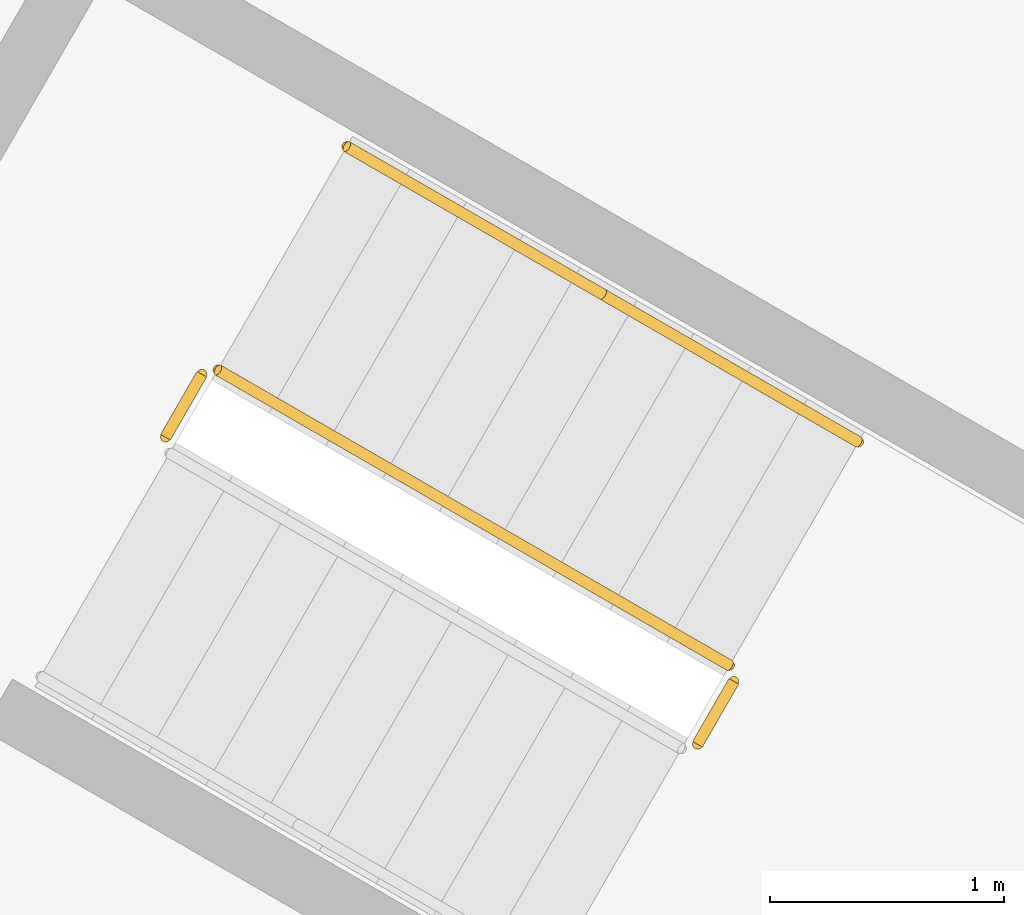
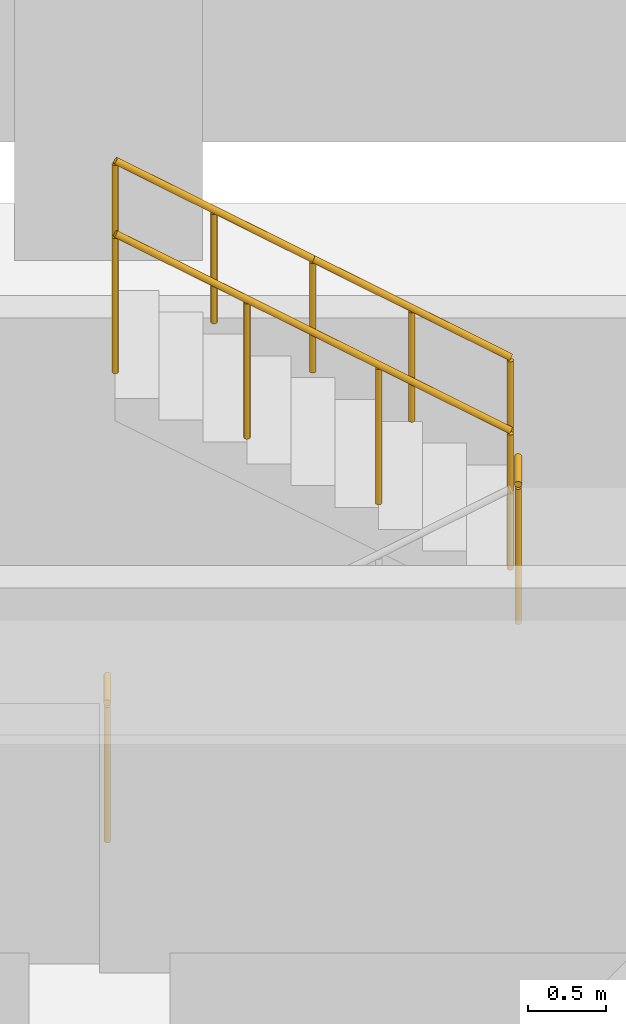
# One storey, part 22 of 22: 5 railings.
"""IFC4 building model written with IfcOpenShell, lengths in metres."""

from ifc_helpers import new_model, si_unit, direction, frame, origin, origin_2d, place, context, subcontext, project, spatial, circle, extrude, material, type_object, element, save


model = new_model("IFC4")

# Units and contexts
model_context = context("Model", 3, precision=1e-05, world=origin(), true_north=direction((0.0, 1.0)))
body_context = subcontext(model_context, "Body", "Model", "MODEL_VIEW")
ifc_project = project(units=[si_unit("LENGTHUNIT", "METRE"), si_unit("AREAUNIT", "SQUARE_METRE"), si_unit("VOLUMEUNIT", "CUBIC_METRE"), si_unit("PLANEANGLEUNIT", "RADIAN"), si_unit("MASSUNIT", "GRAM", prefix="KILO")], contexts=[model_context])

# Site, building, storey
site_placement = place(None, origin())
site = spatial("IfcSite", under=ifc_project, at=site_placement, CompositionType="ELEMENT")
building_placement = place(site_placement, origin())
building = spatial("IfcBuilding", under=site, at=building_placement, Name="Ayvan Gate Tower", CompositionType="ELEMENT")
storey_placement = place(building_placement, frame((0.0, 0.0, 62.89990234375)))
storey = spatial("IfcBuildingStorey", under=building, at=storey_placement, Name="L16", CompositionType="ELEMENT", Elevation=62.89990234375)

# Railings
ifc_material = material(Name="Stainless steel balustrade", Category="steel")
railing_type_1 = type_object("IfcRailingType", Name="RL-GUARD-1100", PredefinedType="GUARDRAIL", material=ifc_material)
railing_1_placement = place(storey_placement, frame((10.6318359375, 8.9248046875, 1.7001953125)))
element("IfcRailing", 1, at=railing_1_placement, inside=storey, type_object=railing_type_1, Name="L16 STS1 stair guard 2", PredefinedType="GUARDRAIL", context=body_context, shape_type="SweptSolid", body=[
    extrude(circle(Radius=0.02392578125, at=origin_2d()), frame((0.0, 0.0, 1.076171875), z_axis=(0.499949632511, 0.866054481515, 0.0), x_axis=(-0.866054481515, 0.499949632511, 0.0)), (0.0, 0.0, 1.0), 0.31005859375),
    extrude(circle(Radius=0.02099609375, at=origin_2d()), origin(), (0.0, 0.0, 1.0), 1.052001953125),
    extrude(circle(Radius=0.02099609375, at=origin_2d()), frame((0.155029296875, 0.2685546875, 0.0)), (0.0, 0.0, 1.0), 1.052001953125),
])
railing_2_placement = place(storey_placement, frame((10.7685546875, 9.261474609375, 1.8701171875)))
element("IfcRailing", 2, at=railing_2_placement, inside=storey, type_object=railing_type_1, Name="L16 STS1 stair guard 3", PredefinedType="GUARDRAIL", context=body_context, shape_type="SweptSolid", body=[
    extrude(circle(Radius=0.02392578125, at=origin_2d()), frame((0.0, 0.0, 1.076171875), z_axis=(-0.740261155115, 0.427395438142, 0.518986090067), x_axis=(-0.500004791531, -0.866022637375, 0.0)), (0.0, 0.0, 1.0), 2.947998046875),
    extrude(circle(Radius=0.02099609375, at=origin_2d()), origin(), (0.0, 0.0, 1.0), 1.052001953125),
    extrude(circle(Radius=0.02099609375, at=origin_2d()), frame((-0.7275390625, 0.419921875, 0.510009765625)), (0.0, 0.0, 1.0), 1.052001953125),
    extrude(circle(Radius=0.02099609375, at=origin_2d()), frame((-1.454833984375, 0.840087890625, 1.02001953125)), (0.0, 0.0, 1.0), 1.052001953125),
    extrude(circle(Radius=0.02099609375, at=origin_2d()), frame((-2.182373046875, 1.260009765625, 1.530029296875)), (0.0, 0.0, 1.0), 1.052001953125),
])
railing_3_placement = place(storey_placement, frame((8.36279296875, 10.23486328125, 0.0)))
element("IfcRailing", 3, at=railing_3_placement, inside=storey, type_object=railing_type_1, Name="L16 STS1 stair guard 4", PredefinedType="GUARDRAIL", context=body_context, shape_type="SweptSolid", body=[
    extrude(circle(Radius=0.02392578125, at=origin_2d()), frame((0.0, 0.0, 1.076171875), z_axis=(0.500290723946, 0.86585748916, 0.0), x_axis=(-0.86585748916, 0.500290723946, 0.0)), (0.0, 0.0, 1.0), 0.309814453125),
    extrude(circle(Radius=0.02099609375, at=origin_2d()), origin(), (0.0, 0.0, 1.0), 1.052001953125),
    extrude(circle(Radius=0.02099609375, at=origin_2d()), frame((0.155029296875, 0.268310546875, 0.0)), (0.0, 0.0, 1.0), 1.052001953125),
])
railing_type_2 = type_object("IfcRailingType", Name="RL-HANDRAIL-900", PredefinedType="HANDRAIL", material=ifc_material)
railing_4_placement = place(storey_placement, frame((11.318603515625, 10.214111328125, 1.8701171875)))
element("IfcRailing", 4, at=railing_4_placement, inside=storey, type_object=railing_type_2, Name="L16 STS1 stair handrail 3", PredefinedType="HANDRAIL", context=body_context, shape_type="SweptSolid", body=[
    extrude(circle(Radius=0.02392578125, at=origin_2d()), frame((0.0, 0.0, 0.8759765625), z_axis=(-0.740304193401, 0.427455284825, 0.518875399983), x_axis=(-0.500035496587, -0.86600490885, 0.0)), (0.0, 0.0, 1.0), 1.47412109375),
    extrude(circle(Radius=0.02099609375, at=origin_2d()), origin(), (0.0, 0.0, 1.0), 0.851806640625),
    extrude(circle(Radius=0.02099609375, at=origin_2d()), frame((-0.545654296875, 0.31494140625, 0.38232421875)), (0.0, 0.0, 1.0), 0.851806640625),
    extrude(circle(Radius=0.02099609375, at=origin_2d()), frame((-1.09130859375, 0.630126953125, 0.764892578125)), (0.0, 0.0, 1.0), 0.851806640625),
])
railing_5_placement = place(storey_placement, frame((10.227294921875, 10.84423828125, 2.635009765625)))
element("IfcRailing", 5, at=railing_5_placement, inside=storey, type_object=railing_type_2, Name="L16 STS1 stair handrail 4", PredefinedType="HANDRAIL", context=body_context, shape_type="SweptSolid", body=[
    extrude(circle(Radius=0.02392578125, at=origin_2d()), frame((0.0, 0.0, 0.8759765625), z_axis=(-0.740292964666, 0.42728318766, 0.519033143459), x_axis=(-0.499890179513, -0.866088799389, 0.0)), (0.0, 0.0, 1.0), 1.47412109375),
    extrude(circle(Radius=0.02099609375, at=origin_2d()), origin(), (0.0, 0.0, 1.0), 0.851806640625),
    extrude(circle(Radius=0.02099609375, at=origin_2d()), frame((-0.545654296875, 0.31494140625, 0.382568359375)), (0.0, 0.0, 1.0), 0.851806640625),
    extrude(circle(Radius=0.02099609375, at=origin_2d()), frame((-1.09130859375, 0.6298828125, 0.76513671875)), (0.0, 0.0, 1.0), 0.851806640625),
])

save(model, "model.ifc")
